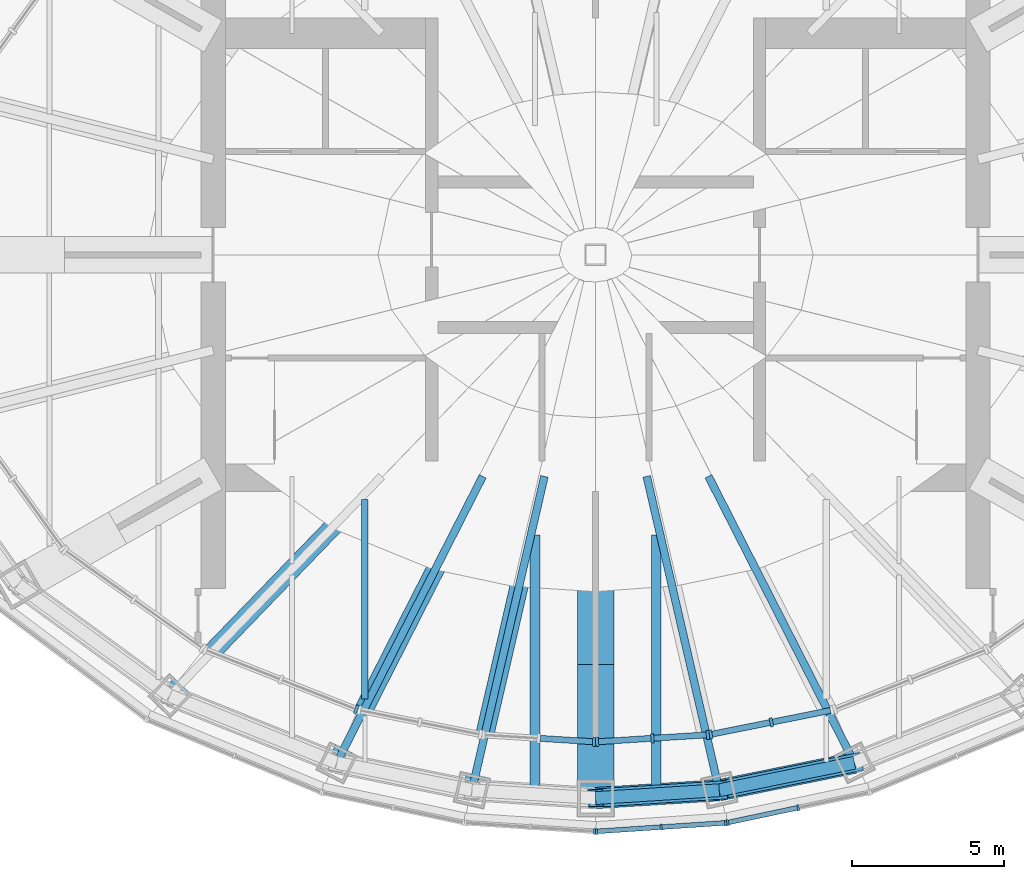
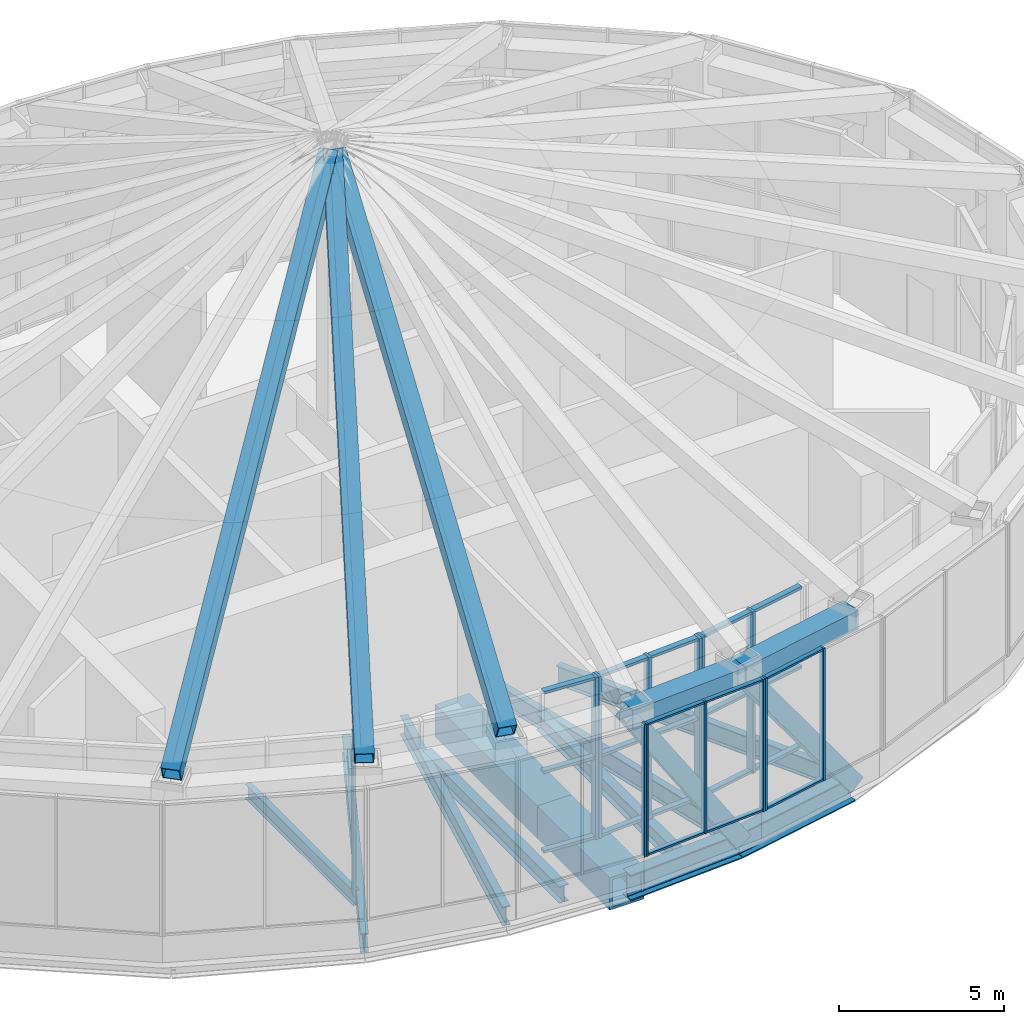
# One storey, part 4 of 21: 39 members, 13 beams, 7 elements without a shape of their own.
"""IFC4 building model written with IfcOpenShell, lengths in metres."""

from ifc_helpers import new_model, si_unit, direction, frame, origin, origin_2d, place, context, subcontext, project, spatial, rectangle, hollow_rectangle, i_section, extrude, material, material_profile, profile_set, type_object, element, aggregate, save


model = new_model("IFC4")

# Units and contexts
model_context = context("Model", 3, precision=1e-05, world=origin(), true_north=direction((0.0, 1.0)))
body_context = subcontext(model_context, "Body", "Model", "MODEL_VIEW")
ifc_project = project(units=[si_unit("LENGTHUNIT", "METRE"), si_unit("AREAUNIT", "SQUARE_METRE"), si_unit("VOLUMEUNIT", "CUBIC_METRE"), si_unit("PLANEANGLEUNIT", "RADIAN"), si_unit("MASSUNIT", "GRAM", prefix="KILO")], contexts=[model_context])

# Site, building, storey
site_placement = place(None, origin())
site = spatial("IfcSite", under=ifc_project, at=site_placement, CompositionType="ELEMENT")
building_placement = place(site_placement, origin())
building = spatial("IfcBuilding", under=site, at=building_placement, Name="Lantaw Convention Tower", CompositionType="ELEMENT")
storey_placement = place(building_placement, frame((0.0, 0.0, 290.39990234375)))
storey = spatial("IfcBuildingStorey", under=building, at=storey_placement, Name="L67", CompositionType="ELEMENT", Elevation=290.39990234375)

# Beams
ifc_material_1 = material(Name="Steel ASTM A992", Category="steel")
ifc_material_profile_1 = material_profile(ifc_material_1, i_section(OverallWidth=0.424072265625, OverallDepth=0.947509765625, WebThickness=0.02392578125, FlangeThickness=0.042724609375, FilletRadius=0.012451171875, at=origin_2d()), Name="W36X302")
ifc_profile_set_1 = profile_set([ifc_material_profile_1], Name="Steel ASTM A992")
beam_type_1 = type_object("IfcBeamType", Name="Beam BC W36X302", PredefinedType="SPANDREL", material=ifc_profile_set_1)
beam_1_placement = place(storey_placement, frame((0.0, -17.89990234375, -0.673583984375), z_axis=(0.998006453216, 0.063111958769, 0.0), x_axis=(-0.063111958769, 0.998006453216, 0.0)))
element("IfcBeam", 1, at=beam_1_placement, inside=storey, type_object=beam_type_1, Name="Belt truss chord 19", PredefinedType="SPANDREL", context=body_context, shape_type="SweptSolid", body=[
    extrude(i_section(OverallWidth=0.424072265625, OverallDepth=0.947509765625, WebThickness=0.02392578125, FlangeThickness=0.042724609375, FilletRadius=0.012451171875, at=origin_2d()), origin(), (0.0, 0.0, 1.0), 4.0810546875),
])
beam_2_placement = place(storey_placement, frame((4.072998046875, -17.642333984375, -0.673583984375), z_axis=(0.980006466425, 0.198965639657, 0.0), x_axis=(-0.198965639657, 0.980006466425, 0.0)))
element("IfcBeam", 2, at=beam_2_placement, inside=storey, type_object=beam_type_1, Name="Belt truss chord 20", PredefinedType="SPANDREL", context=body_context, shape_type="SweptSolid", body=[
    extrude(i_section(OverallWidth=0.424072265625, OverallDepth=0.947509765625, WebThickness=0.02392578125, FlangeThickness=0.042724609375, FilletRadius=0.012451171875, at=origin_2d()), origin(), (0.0, 0.0, 1.0), 4.546142578125),
])
ifc_material_2 = material(Name="Steel EN 10025-3 S460N", Category="steel")
ifc_material_profile_2 = material_profile(ifc_material_2, hollow_rectangle(XDim=1.199951171875, YDim=1.199951171875, WallThickness=0.10009765625, at=origin_2d()), Name="BOX1200X100")
ifc_profile_set_2 = profile_set([ifc_material_profile_2], Name="Steel EN 10025-3 S460N")
beam_type_2 = type_object("IfcBeamType", Name="Beam G BOX1200X100", PredefinedType="BEAM", material=ifc_profile_set_2)
beam_3_placement = place(storey_placement, frame((0.0, -13.5, -0.7998046875), z_axis=(0.0, -1.0, 0.0), x_axis=(1.0, 0.0, 0.0)))
element("IfcBeam", 3, at=beam_3_placement, inside=storey, type_object=beam_type_2, Name="Floor girder on ray 19", PredefinedType="BEAM", context=body_context, shape_type="SweptSolid", body=[
    extrude(hollow_rectangle(XDim=1.199951171875, YDim=1.199951171875, WallThickness=0.10009765625, at=origin_2d()), origin(), (0.0, 0.0, 1.0), 4.39990234375),
])
ifc_material_profile_3 = material_profile(ifc_material_1, i_section(OverallWidth=0.25390625, OverallDepth=0.700927734375, WebThickness=0.015380859375, FlangeThickness=0.02783203125, FilletRadius=0.01513671875, at=origin_2d()), Name="W27X129")
ifc_profile_set_3 = profile_set([ifc_material_profile_3], Name="Steel ASTM A992")
beam_type_3 = type_object("IfcBeamType", Name="Beam G W27X129", PredefinedType="BEAM", material=ifc_profile_set_3)
beam_4_placement = place(storey_placement, frame((-3.719482421875, -7.300048828125, -0.550537109375), z_axis=(-0.453995526284, -0.891003963018, 0.0), x_axis=(0.891003963018, -0.453995526284, 0.0)))
element("IfcBeam", 4, at=beam_4_placement, inside=storey, type_object=beam_type_3, Name="Floor girder on ray 17", PredefinedType="BEAM", context=body_context, shape_type="SweptSolid", body=[
    extrude(i_section(OverallWidth=0.25390625, OverallDepth=0.700927734375, WebThickness=0.015380859375, FlangeThickness=0.02783203125, FilletRadius=0.01513671875, at=origin_2d()), origin(), (0.0, 0.0, 1.0), 10.59228515625),
])
for number, where, z_axis, x_axis, name in (
    (5, (-1.685302734375, -7.300048828125, -0.550537109375), (-0.22495021771, -0.974370257937, 0.0), (0.974370257937, -0.22495021771, 0.0), "Floor girder on ray 18"),
    (6, (1.685302734375, -7.300048828125, -0.550537109375), (0.22495021771, -0.974370257937, 0.0), (0.974370257937, 0.22495021771, 0.0), "Floor girder on ray 20"),
):
    element("IfcBeam", number, at=place(storey_placement, frame(where, z_axis=z_axis, x_axis=x_axis)), inside=storey, type_object=beam_type_3, Name=name, PredefinedType="BEAM", context=body_context, shape_type="SweptSolid", body=[
        extrude(i_section(OverallWidth=0.25390625, OverallDepth=0.700927734375, WebThickness=0.015380859375, FlangeThickness=0.02783203125, FilletRadius=0.01513671875, at=origin_2d()), origin(), (0.0, 0.0, 1.0), 10.6142578125),
    ])
beam_5_placement = place(storey_placement, frame((3.719482421875, -7.300048828125, -0.550537109375), z_axis=(0.453995526284, -0.891003963018, 0.0), x_axis=(0.891003963018, 0.453995526284, 0.0)))
element("IfcBeam", 7, at=beam_5_placement, inside=storey, type_object=beam_type_3, Name="Floor girder on ray 21", PredefinedType="BEAM", context=body_context, shape_type="SweptSolid", body=[
    extrude(i_section(OverallWidth=0.25390625, OverallDepth=0.700927734375, WebThickness=0.015380859375, FlangeThickness=0.02783203125, FilletRadius=0.01513671875, at=origin_2d()), origin(), (0.0, 0.0, 1.0), 10.59228515625),
])
ifc_material_profile_4 = material_profile(ifc_material_1, i_section(OverallWidth=0.209228515625, OverallDepth=0.533447265625, WebThickness=0.01025390625, FlangeThickness=0.015625, FilletRadius=0.012939453125, at=origin_2d()), Name="W21X62")
ifc_profile_set_4 = profile_set([ifc_material_profile_4], Name="Steel ASTM A992")
beam_type_4 = type_object("IfcBeamType", Name="Beam J W21X62", PredefinedType="JOIST", material=ifc_profile_set_4)
beam_6_placement = place(storey_placement, frame((-7.60009765625, -14.635986328125, -0.466552734375), z_axis=(0.0, 1.0, 0.0), x_axis=(-1.0, 0.0, 0.0)))
element("IfcBeam", 8, at=beam_6_placement, inside=storey, type_object=beam_type_4, Name="Floor joist", PredefinedType="JOIST", context=body_context, shape_type="SweptSolid", body=[
    extrude(i_section(OverallWidth=0.209228515625, OverallDepth=0.533447265625, WebThickness=0.01025390625, FlangeThickness=0.015625, FilletRadius=0.012939453125, at=origin_2d()), origin(), (0.0, 0.0, 1.0), 6.573974609375),
])
ifc_material_profile_5 = material_profile(ifc_material_1, i_section(OverallWidth=0.3251953125, OverallDepth=0.612060546875, WebThickness=0.0126953125, FlangeThickness=0.01904296875, FilletRadius=0.0126953125, at=origin_2d()), Name="W24X104")
ifc_profile_set_5 = profile_set([ifc_material_profile_5], Name="Steel ASTM A992")
beam_type_5 = type_object("IfcBeamType", Name="Beam J W24X104", PredefinedType="JOIST", material=ifc_profile_set_5)
for number, where, z_axis, x_axis, name in (
    (9, (-2.0, -17.56103515625, -0.505859375), (0.0, 1.0, 0.0), (-1.0, 0.0, 0.0), "Floor joist"),
    (10, (2.0, -17.56103515625, -0.505859375), (0.0, 1.0, 0.0), (-1.0, 0.0, 0.0), "Floor joist"),
):
    element("IfcBeam", number, at=place(storey_placement, frame(where, z_axis=z_axis, x_axis=x_axis)), inside=storey, type_object=beam_type_5, Name=name, PredefinedType="JOIST", context=body_context, shape_type="SweptSolid", body=[
        extrude(i_section(OverallWidth=0.3251953125, OverallDepth=0.612060546875, WebThickness=0.0126953125, FlangeThickness=0.01904296875, FilletRadius=0.0126953125, at=origin_2d()), origin(), (0.0, 0.0, 1.0), 8.33349609375),
    ])
ifc_material_profile_6 = material_profile(ifc_material_2, hollow_rectangle(XDim=1.199951171875, YDim=1.199951171875, WallThickness=0.10009765625, at=origin_2d()), Name="BOX1200X100")
ifc_profile_set_6 = profile_set([ifc_material_profile_6], Name="Steel EN 10025-3 S460N")
beam_type_6 = type_object("IfcBeamType", Name="Beam OC BOX1200X100", PredefinedType="BEAM", material=ifc_profile_set_6)
beam_7_placement = place(storey_placement, frame((0.0, -7.300048828125, -0.7998046875), z_axis=(0.0, -1.0, 0.0), x_axis=(1.0, 0.0, 0.0)))
element("IfcBeam", 11, at=beam_7_placement, inside=storey, type_object=beam_type_6, Name="Outrigger chord on ray 19", PredefinedType="BEAM", context=body_context, shape_type="SweptSolid", body=[
    extrude(hollow_rectangle(XDim=1.199951171875, YDim=1.199951171875, WallThickness=0.10009765625, at=origin_2d()), origin(), (0.0, 0.0, 1.0), 6.199951171875),
])
ifc_material_3 = material(Name="Steel ASTM A572 Grade 50", Category="steel")
ifc_material_profile_7 = material_profile(ifc_material_3, hollow_rectangle(XDim=0.699951171875, YDim=0.699951171875, WallThickness=0.0400390625, at=origin_2d()), Name="BOX700X40")
ifc_profile_set_7 = profile_set([ifc_material_profile_7], Name="Steel ASTM A572 Grade 50")
beam_type_7 = type_object("IfcBeamType", Name="Beam crown ring BOX700X40", PredefinedType="SPANDREL", material=ifc_profile_set_7)
beam_8_placement = place(storey_placement, frame((0.0, -17.89990234375, 5.650146484375), z_axis=(0.998006453216, 0.063111958769, 0.0), x_axis=(-0.063111958769, 0.998006453216, 0.0)))
element("IfcBeam", 12, at=beam_8_placement, inside=storey, type_object=beam_type_7, Name="Crown ring beam", PredefinedType="SPANDREL", context=body_context, shape_type="SweptSolid", body=[
    extrude(hollow_rectangle(XDim=0.699951171875, YDim=0.699951171875, WallThickness=0.0400390625, at=origin_2d()), origin(), (0.0, 0.0, 1.0), 4.0810546875),
])
beam_9_placement = place(storey_placement, frame((4.072998046875, -17.642333984375, 5.650146484375), z_axis=(0.980006466425, 0.198965639657, 0.0), x_axis=(-0.198965639657, 0.980006466425, 0.0)))
element("IfcBeam", 13, at=beam_9_placement, inside=storey, type_object=beam_type_7, Name="Crown ring beam", PredefinedType="SPANDREL", context=body_context, shape_type="SweptSolid", body=[
    extrude(hollow_rectangle(XDim=0.699951171875, YDim=0.699951171875, WallThickness=0.0400390625, at=origin_2d()), origin(), (0.0, 0.0, 1.0), 4.546142578125),
])

# Curtain wall, member
ifc_material_4 = material(Name="Aluminium framed curtain wall", Category="aluminium")
curtain_wall_type_1 = type_object("IfcCurtainWallType", Name="LANTERN glazing curtain wall, pale aluminium", PredefinedType="USERDEFINED", material=ifc_material_4)
curtain_wall_1_placement = place(storey_placement, origin())
curtain_wall_1 = element("IfcCurtainWall", 14, at=curtain_wall_1_placement, inside=storey, type_object=curtain_wall_type_1, Name="LANTERN glazing curtain wall, pale aluminium L67", ObjectType="LANTERN GLAZING", PredefinedType="USERDEFINED")
ifc_material_5 = material(Name="Aluminium 6063-T6", Category="aluminium")
ifc_material_profile_8 = material_profile(ifc_material_5, rectangle(XDim=0.300048828125, YDim=0.10009765625, at=origin_2d()), Name="CW-LN mullion 100x300")
ifc_profile_set_8 = profile_set([ifc_material_profile_8], Name="Aluminium 6063-T6")
member_type_1 = type_object("IfcMemberType", Name="CW-LN mullion 100x300", PredefinedType="MULLION", material=ifc_profile_set_8)
member_1_placement = place(storey_placement, frame((-7.883056640625, -14.97607421875, 0.0), z_axis=(0.0, 0.0, 1.0), x_axis=(0.366801957358, 0.930299050885, 0.0)))
member_1 = element("IfcMember", 15, at=member_1_placement, type_object=member_type_1, Name="CW-LN mullion 3", PredefinedType="MULLION", context=body_context, shape_type="SweptSolid", body=[
    extrude(rectangle(XDim=0.300048828125, YDim=0.10009765625, at=origin_2d()), origin(), (0.0, 0.0, 1.0), 6.0),
])
aggregate(curtain_wall_1, [member_1])

curtain_wall_2_placement = place(storey_placement, origin())
curtain_wall_2 = element("IfcCurtainWall", 16, at=curtain_wall_2_placement, inside=storey, type_object=curtain_wall_type_1, Name="LANTERN glazing curtain wall, pale aluminium L67", ObjectType="LANTERN GLAZING", PredefinedType="USERDEFINED")
member_2_placement = place(storey_placement, frame((-0.0498046875, -16.044921875, 0.0), z_axis=(0.0, 0.0, 1.0), x_axis=(0.062488626454, 0.998045676091, 0.0)))
member_2 = element("IfcMember", 17, at=member_2_placement, type_object=member_type_1, Name="CW-LN mullion 3", PredefinedType="MULLION", context=body_context, shape_type="SweptSolid", body=[
    extrude(rectangle(XDim=0.300048828125, YDim=0.10009765625, at=origin_2d()), origin(), (0.0, 0.0, 1.0), 6.0),
])

# Curtain wall, members
curtain_wall_3_placement = place(storey_placement, origin())
curtain_wall_3 = element("IfcCurtainWall", 18, at=curtain_wall_3_placement, inside=storey, type_object=curtain_wall_type_1, Name="LANTERN glazing curtain wall, pale aluminium L67", ObjectType="LANTERN GLAZING", PredefinedType="USERDEFINED")
member_3_placement = place(storey_placement, frame((0.0498046875, -16.044921875, 0.0), z_axis=(0.0, 0.0, 1.0), x_axis=(-0.062488626454, 0.998045676091, 0.0)))
member_3 = element("IfcMember", 19, at=member_3_placement, type_object=member_type_1, Name="CW-LN mullion 1", PredefinedType="MULLION", context=body_context, shape_type="SweptSolid", body=[
    extrude(rectangle(XDim=0.300048828125, YDim=0.10009765625, at=origin_2d()), origin(), (0.0, 0.0, 1.0), 6.0),
])
member_4_placement = place(storey_placement, frame((1.87255859375, -15.930908203125, 0.0), z_axis=(0.0, 0.0, 1.0), x_axis=(-0.062488626454, 0.998045676091, 0.0)))
member_4 = element("IfcMember", 20, at=member_4_placement, type_object=member_type_1, Name="CW-LN mullion 2", PredefinedType="MULLION", context=body_context, shape_type="SweptSolid", body=[
    extrude(rectangle(XDim=0.300048828125, YDim=0.10009765625, at=origin_2d()), origin(), (0.0, 0.0, 1.0), 6.0),
])
member_5_placement = place(storey_placement, frame((3.6953125, -15.816650390625, 0.0), z_axis=(0.0, 0.0, 1.0), x_axis=(-0.062488626454, 0.998045676091, 0.0)))
member_5 = element("IfcMember", 21, at=member_5_placement, type_object=member_type_1, Name="CW-LN mullion 3", PredefinedType="MULLION", context=body_context, shape_type="SweptSolid", body=[
    extrude(rectangle(XDim=0.300048828125, YDim=0.10009765625, at=origin_2d()), origin(), (0.0, 0.0, 1.0), 6.0),
])

curtain_wall_4_placement = place(storey_placement, origin())
curtain_wall_4 = element("IfcCurtainWall", 22, at=curtain_wall_4_placement, inside=storey, type_object=curtain_wall_type_1, Name="LANTERN glazing curtain wall, pale aluminium L67", ObjectType="LANTERN GLAZING", PredefinedType="USERDEFINED")
member_6_placement = place(storey_placement, frame((3.79443359375, -15.8037109375, 0.0), z_axis=(0.0, 0.0, 1.0), x_axis=(-0.196367228305, 0.980530423622, 0.0)))
member_6 = element("IfcMember", 23, at=member_6_placement, type_object=member_type_1, Name="CW-LN mullion 1", PredefinedType="MULLION", context=body_context, shape_type="SweptSolid", body=[
    extrude(rectangle(XDim=0.300048828125, YDim=0.10009765625, at=origin_2d()), origin(), (0.0, 0.0, 1.0), 6.0),
])
member_7_placement = place(storey_placement, frame((5.791015625, -15.404052734375, 0.0), z_axis=(0.0, 0.0, 1.0), x_axis=(-0.196367228305, 0.980530423622, 0.0)))
member_7 = element("IfcMember", 24, at=member_7_placement, type_object=member_type_1, Name="CW-LN mullion 2", PredefinedType="MULLION", context=body_context, shape_type="SweptSolid", body=[
    extrude(rectangle(XDim=0.300048828125, YDim=0.10009765625, at=origin_2d()), origin(), (0.0, 0.0, 1.0), 6.0),
])

# Member
ifc_material_profile_9 = material_profile(ifc_material_5, rectangle(XDim=0.199951171875, YDim=0.10009765625, at=origin_2d()), Name="CW-LN transom 100x200")
ifc_profile_set_9 = profile_set([ifc_material_profile_9], Name="Aluminium 6063-T6")
member_type_2 = type_object("IfcMemberType", Name="CW-LN transom 100x200", PredefinedType="USERDEFINED", material=ifc_profile_set_9)
member_8_placement = place(storey_placement, frame((-1.82275390625, -15.93408203125, 0.050048828125), z_axis=(0.9980443153, -0.062510356719, 0.0), x_axis=(0.062510356719, 0.9980443153, 0.0)))
member_8 = element("IfcMember", 25, at=member_8_placement, type_object=member_type_2, Name="CW-LN transom 2.1", ObjectType="TRANSOM", PredefinedType="USERDEFINED", context=body_context, shape_type="SweptSolid", body=[
    extrude(rectangle(XDim=0.199951171875, YDim=0.10009765625, at=origin_2d()), origin(), (0.0, 0.0, 1.0), 1.726318359375),
])

member_9_placement = place(storey_placement, frame((-1.82275390625, -15.93408203125, 3.0), z_axis=(0.9980443153, -0.062510356719, 0.0), x_axis=(0.062510356719, 0.9980443153, 0.0)))
member_9 = element("IfcMember", 26, at=member_9_placement, type_object=member_type_2, Name="CW-LN transom 2.2", ObjectType="TRANSOM", PredefinedType="USERDEFINED", context=body_context, shape_type="SweptSolid", body=[
    extrude(rectangle(XDim=0.199951171875, YDim=0.10009765625, at=origin_2d()), origin(), (0.0, 0.0, 1.0), 1.726318359375),
])

member_10_placement = place(storey_placement, frame((-1.82275390625, -15.93408203125, 5.9501953125), z_axis=(0.9980443153, -0.062510356719, 0.0), x_axis=(0.062510356719, 0.9980443153, 0.0)))
member_10 = element("IfcMember", 27, at=member_10_placement, type_object=member_type_2, Name="CW-LN transom 2.3", ObjectType="TRANSOM", PredefinedType="USERDEFINED", context=body_context, shape_type="SweptSolid", body=[
    extrude(rectangle(XDim=0.199951171875, YDim=0.10009765625, at=origin_2d()), origin(), (0.0, 0.0, 1.0), 1.726318359375),
])

aggregate(curtain_wall_2, [member_2, member_8, member_9, member_10])

member_11_placement = place(storey_placement, frame((0.099853515625, -16.0419921875, 0.050048828125), z_axis=(0.9980443153, 0.062510356719, 0.0), x_axis=(-0.062510356719, 0.9980443153, 0.0)))
member_11 = element("IfcMember", 28, at=member_11_placement, type_object=member_type_2, Name="CW-LN transom 1.1", ObjectType="TRANSOM", PredefinedType="USERDEFINED", context=body_context, shape_type="SweptSolid", body=[
    extrude(rectangle(XDim=0.199951171875, YDim=0.10009765625, at=origin_2d()), origin(), (0.0, 0.0, 1.0), 1.726318359375),
])

member_12_placement = place(storey_placement, frame((0.099853515625, -16.0419921875, 3.0), z_axis=(0.9980443153, 0.062510356719, 0.0), x_axis=(-0.062510356719, 0.9980443153, 0.0)))
member_12 = element("IfcMember", 29, at=member_12_placement, type_object=member_type_2, Name="CW-LN transom 1.2", ObjectType="TRANSOM", PredefinedType="USERDEFINED", context=body_context, shape_type="SweptSolid", body=[
    extrude(rectangle(XDim=0.199951171875, YDim=0.10009765625, at=origin_2d()), origin(), (0.0, 0.0, 1.0), 1.726318359375),
])

member_13_placement = place(storey_placement, frame((0.099853515625, -16.0419921875, 5.9501953125), z_axis=(0.9980443153, 0.062510356719, 0.0), x_axis=(-0.062510356719, 0.9980443153, 0.0)))
member_13 = element("IfcMember", 30, at=member_13_placement, type_object=member_type_2, Name="CW-LN transom 1.3", ObjectType="TRANSOM", PredefinedType="USERDEFINED", context=body_context, shape_type="SweptSolid", body=[
    extrude(rectangle(XDim=0.199951171875, YDim=0.10009765625, at=origin_2d()), origin(), (0.0, 0.0, 1.0), 1.726318359375),
])

member_14_placement = place(storey_placement, frame((1.922607421875, -15.927734375, 0.050048828125), z_axis=(0.9980443153, 0.062510356719, 0.0), x_axis=(-0.062510356719, 0.9980443153, 0.0)))
member_14 = element("IfcMember", 31, at=member_14_placement, type_object=member_type_2, Name="CW-LN transom 2.1", ObjectType="TRANSOM", PredefinedType="USERDEFINED", context=body_context, shape_type="SweptSolid", body=[
    extrude(rectangle(XDim=0.199951171875, YDim=0.10009765625, at=origin_2d()), origin(), (0.0, 0.0, 1.0), 1.726318359375),
])

member_15_placement = place(storey_placement, frame((1.922607421875, -15.927734375, 3.0), z_axis=(0.9980443153, 0.062510356719, 0.0), x_axis=(-0.062510356719, 0.9980443153, 0.0)))
member_15 = element("IfcMember", 32, at=member_15_placement, type_object=member_type_2, Name="CW-LN transom 2.2", ObjectType="TRANSOM", PredefinedType="USERDEFINED", context=body_context, shape_type="SweptSolid", body=[
    extrude(rectangle(XDim=0.199951171875, YDim=0.10009765625, at=origin_2d()), origin(), (0.0, 0.0, 1.0), 1.726318359375),
])

member_16_placement = place(storey_placement, frame((1.922607421875, -15.927734375, 5.9501953125), z_axis=(0.9980443153, 0.062510356719, 0.0), x_axis=(-0.062510356719, 0.9980443153, 0.0)))
member_16 = element("IfcMember", 33, at=member_16_placement, type_object=member_type_2, Name="CW-LN transom 2.3", ObjectType="TRANSOM", PredefinedType="USERDEFINED", context=body_context, shape_type="SweptSolid", body=[
    extrude(rectangle(XDim=0.199951171875, YDim=0.10009765625, at=origin_2d()), origin(), (0.0, 0.0, 1.0), 1.726318359375),
])

aggregate(curtain_wall_3, [member_3, member_4, member_5, member_11, member_12, member_13, member_14, member_15, member_16])

member_17_placement = place(storey_placement, frame((3.84326171875, -15.7939453125, 0.050048828125), z_axis=(0.980541861959, 0.196310104034, 0.0), x_axis=(-0.196310104034, 0.980541861959, 0.0)))
member_17 = element("IfcMember", 34, at=member_17_placement, type_object=member_type_2, Name="CW-LN transom 1.1", ObjectType="TRANSOM", PredefinedType="USERDEFINED", context=body_context, shape_type="SweptSolid", body=[
    extrude(rectangle(XDim=0.199951171875, YDim=0.10009765625, at=origin_2d()), origin(), (0.0, 0.0, 1.0), 1.936279296875),
])

member_18_placement = place(storey_placement, frame((3.84326171875, -15.7939453125, 3.0), z_axis=(0.980541861959, 0.196310104034, 0.0), x_axis=(-0.196310104034, 0.980541861959, 0.0)))
member_18 = element("IfcMember", 35, at=member_18_placement, type_object=member_type_2, Name="CW-LN transom 1.2", ObjectType="TRANSOM", PredefinedType="USERDEFINED", context=body_context, shape_type="SweptSolid", body=[
    extrude(rectangle(XDim=0.199951171875, YDim=0.10009765625, at=origin_2d()), origin(), (0.0, 0.0, 1.0), 1.936279296875),
])

member_19_placement = place(storey_placement, frame((3.84326171875, -15.7939453125, 5.9501953125), z_axis=(0.980541861959, 0.196310104034, 0.0), x_axis=(-0.196310104034, 0.980541861959, 0.0)))
member_19 = element("IfcMember", 36, at=member_19_placement, type_object=member_type_2, Name="CW-LN transom 1.3", ObjectType="TRANSOM", PredefinedType="USERDEFINED", context=body_context, shape_type="SweptSolid", body=[
    extrude(rectangle(XDim=0.199951171875, YDim=0.10009765625, at=origin_2d()), origin(), (0.0, 0.0, 1.0), 1.936279296875),
])

member_20_placement = place(storey_placement, frame((5.83984375, -15.39404296875, 0.050048828125), z_axis=(0.980541861959, 0.196310104034, 0.0), x_axis=(-0.196310104034, 0.980541861959, 0.0)))
member_20 = element("IfcMember", 37, at=member_20_placement, type_object=member_type_2, Name="CW-LN transom 2.1", ObjectType="TRANSOM", PredefinedType="USERDEFINED", context=body_context, shape_type="SweptSolid", body=[
    extrude(rectangle(XDim=0.199951171875, YDim=0.10009765625, at=origin_2d()), origin(), (0.0, 0.0, 1.0), 1.936279296875),
])

member_21_placement = place(storey_placement, frame((5.83984375, -15.39404296875, 3.0), z_axis=(0.980541861959, 0.196310104034, 0.0), x_axis=(-0.196310104034, 0.980541861959, 0.0)))
member_21 = element("IfcMember", 38, at=member_21_placement, type_object=member_type_2, Name="CW-LN transom 2.2", ObjectType="TRANSOM", PredefinedType="USERDEFINED", context=body_context, shape_type="SweptSolid", body=[
    extrude(rectangle(XDim=0.199951171875, YDim=0.10009765625, at=origin_2d()), origin(), (0.0, 0.0, 1.0), 1.936279296875),
])

member_22_placement = place(storey_placement, frame((5.83984375, -15.39404296875, 5.9501953125), z_axis=(0.980541861959, 0.196310104034, 0.0), x_axis=(-0.196310104034, 0.980541861959, 0.0)))
member_22 = element("IfcMember", 39, at=member_22_placement, type_object=member_type_2, Name="CW-LN transom 2.3", ObjectType="TRANSOM", PredefinedType="USERDEFINED", context=body_context, shape_type="SweptSolid", body=[
    extrude(rectangle(XDim=0.199951171875, YDim=0.10009765625, at=origin_2d()), origin(), (0.0, 0.0, 1.0), 1.936279296875),
])

aggregate(curtain_wall_4, [member_6, member_7, member_17, member_18, member_19, member_20, member_21, member_22])

# Curtain wall, member
curtain_wall_type_2 = type_object("IfcCurtainWallType", Name="Plant floor louvre wall, pale aluminium", PredefinedType="USERDEFINED", material=ifc_material_4)
curtain_wall_5_placement = place(storey_placement, origin())
curtain_wall_5 = element("IfcCurtainWall", 40, at=curtain_wall_5_placement, inside=storey, type_object=curtain_wall_type_2, Name="Plant floor louvre wall, pale aluminium L67", ObjectType="LOUVRE WALL", PredefinedType="USERDEFINED")
ifc_material_profile_10 = material_profile(ifc_material_5, rectangle(XDim=0.199951171875, YDim=0.070068359375, at=origin_2d()), Name="CW-LV mullion 70x200")
ifc_profile_set_10 = profile_set([ifc_material_profile_10], Name="Aluminium 6063-T6")
member_type_3 = type_object("IfcMemberType", Name="CW-LV mullion 70x200", PredefinedType="MULLION", material=ifc_profile_set_10)
member_23_placement = place(storey_placement, frame((-0.034912109375, -18.997802734375, 1.10009765625), z_axis=(0.0, 0.0, 1.0), x_axis=(0.066024902273, 0.997817975525, 0.0)))
member_23 = element("IfcMember", 41, at=member_23_placement, type_object=member_type_3, Name="CW-LV mullion 3", PredefinedType="MULLION", context=body_context, shape_type="SweptSolid", body=[
    extrude(rectangle(XDim=0.199951171875, YDim=0.070068359375, at=origin_2d()), origin(), (0.0, 0.0, 1.0), 4.89990234375),
])
aggregate(curtain_wall_5, [member_23])

# Curtain wall, members
curtain_wall_6_placement = place(storey_placement, origin())
curtain_wall_6 = element("IfcCurtainWall", 42, at=curtain_wall_6_placement, inside=storey, type_object=curtain_wall_type_2, Name="Plant floor louvre wall, pale aluminium L67", ObjectType="LOUVRE WALL", PredefinedType="USERDEFINED")
member_24_placement = place(storey_placement, frame((0.034912109375, -18.997802734375, 1.10009765625), z_axis=(0.0, 0.0, 1.0), x_axis=(-0.066024902273, 0.997817975525, 0.0)))
member_24 = element("IfcMember", 43, at=member_24_placement, type_object=member_type_3, Name="CW-LV mullion 1", PredefinedType="MULLION", context=body_context, shape_type="SweptSolid", body=[
    extrude(rectangle(XDim=0.199951171875, YDim=0.070068359375, at=origin_2d()), origin(), (0.0, 0.0, 1.0), 4.89990234375),
])
member_25_placement = place(storey_placement, frame((2.16015625, -18.857177734375, 1.10009765625), z_axis=(0.0, 0.0, 1.0), x_axis=(-0.066024902273, 0.997817975525, 0.0)))
member_25 = element("IfcMember", 44, at=member_25_placement, type_object=member_type_3, Name="CW-LV mullion 2", PredefinedType="MULLION", context=body_context, shape_type="SweptSolid", body=[
    extrude(rectangle(XDim=0.199951171875, YDim=0.070068359375, at=origin_2d()), origin(), (0.0, 0.0, 1.0), 4.89990234375),
])
member_26_placement = place(storey_placement, frame((4.28564453125, -18.71630859375, 1.10009765625), z_axis=(0.0, 0.0, 1.0), x_axis=(-0.066024902273, 0.997817975525, 0.0)))
member_26 = element("IfcMember", 45, at=member_26_placement, type_object=member_type_3, Name="CW-LV mullion 3", PredefinedType="MULLION", context=body_context, shape_type="SweptSolid", body=[
    extrude(rectangle(XDim=0.199951171875, YDim=0.070068359375, at=origin_2d()), origin(), (0.0, 0.0, 1.0), 4.89990234375),
])

curtain_wall_7_placement = place(storey_placement, origin())
curtain_wall_7 = element("IfcCurtainWall", 46, at=curtain_wall_7_placement, inside=storey, type_object=curtain_wall_type_2, Name="Plant floor louvre wall, pale aluminium L67", ObjectType="LOUVRE WALL", PredefinedType="USERDEFINED")
member_27_placement = place(storey_placement, frame((4.354736328125, -18.706787109375, 1.10009765625), z_axis=(0.0, 0.0, 1.0), x_axis=(-0.207039911975, 0.978332497083, 0.0)))
member_27 = element("IfcMember", 47, at=member_27_placement, type_object=member_type_3, Name="CW-LV mullion 1", PredefinedType="MULLION", context=body_context, shape_type="SweptSolid", body=[
    extrude(rectangle(XDim=0.199951171875, YDim=0.070068359375, at=origin_2d()), origin(), (0.0, 0.0, 1.0), 4.89990234375),
])
member_28_placement = place(storey_placement, frame((6.674072265625, -18.216064453125, 1.10009765625), z_axis=(0.0, 0.0, 1.0), x_axis=(-0.207039911975, 0.978332497083, 0.0)))
member_28 = element("IfcMember", 48, at=member_28_placement, type_object=member_type_3, Name="CW-LV mullion 2", PredefinedType="MULLION", context=body_context, shape_type="SweptSolid", body=[
    extrude(rectangle(XDim=0.199951171875, YDim=0.070068359375, at=origin_2d()), origin(), (0.0, 0.0, 1.0), 4.89990234375),
])

# Member
ifc_material_profile_11 = material_profile(ifc_material_5, rectangle(XDim=0.159912109375, YDim=0.070068359375, at=origin_2d()), Name="CW-LV transom 70x160")
ifc_profile_set_11 = profile_set([ifc_material_profile_11], Name="Aluminium 6063-T6")
member_type_4 = type_object("IfcMemberType", Name="CW-LV transom 70x160", PredefinedType="USERDEFINED", material=ifc_profile_set_11)
member_29_placement = place(storey_placement, frame((0.06982421875, -18.995361328125, 1.135009765625), z_axis=(0.997818593988, 0.066015554918, 0.0), x_axis=(-0.066015554918, 0.997818593988, 0.0)))
member_29 = element("IfcMember", 49, at=member_29_placement, type_object=member_type_4, Name="CW-LV transom 1.1", ObjectType="TRANSOM", PredefinedType="USERDEFINED", context=body_context, shape_type="SweptSolid", body=[
    extrude(rectangle(XDim=0.159912109375, YDim=0.070068359375, at=origin_2d()), origin(), (0.0, 0.0, 1.0), 2.059814453125),
])

member_30_placement = place(storey_placement, frame((0.06982421875, -18.995361328125, 5.965087890625), z_axis=(0.997818593988, 0.066015554918, 0.0), x_axis=(-0.066015554918, 0.997818593988, 0.0)))
member_30 = element("IfcMember", 50, at=member_30_placement, type_object=member_type_4, Name="CW-LV transom 1.2", ObjectType="TRANSOM", PredefinedType="USERDEFINED", context=body_context, shape_type="SweptSolid", body=[
    extrude(rectangle(XDim=0.159912109375, YDim=0.070068359375, at=origin_2d()), origin(), (0.0, 0.0, 1.0), 2.059814453125),
])

member_31_placement = place(storey_placement, frame((2.195068359375, -18.854736328125, 1.135009765625), z_axis=(0.997819110413, 0.066007748753, 0.0), x_axis=(-0.066007748753, 0.997819110413, 0.0)))
member_31 = element("IfcMember", 51, at=member_31_placement, type_object=member_type_4, Name="CW-LV transom 2.1", ObjectType="TRANSOM", PredefinedType="USERDEFINED", context=body_context, shape_type="SweptSolid", body=[
    extrude(rectangle(XDim=0.159912109375, YDim=0.070068359375, at=origin_2d()), origin(), (0.0, 0.0, 1.0), 2.06005859375),
])

member_32_placement = place(storey_placement, frame((2.195068359375, -18.854736328125, 5.965087890625), z_axis=(0.997819110413, 0.066007748753, 0.0), x_axis=(-0.066007748753, 0.997819110413, 0.0)))
member_32 = element("IfcMember", 52, at=member_32_placement, type_object=member_type_4, Name="CW-LV transom 2.2", ObjectType="TRANSOM", PredefinedType="USERDEFINED", context=body_context, shape_type="SweptSolid", body=[
    extrude(rectangle(XDim=0.159912109375, YDim=0.070068359375, at=origin_2d()), origin(), (0.0, 0.0, 1.0), 2.06005859375),
])

aggregate(curtain_wall_6, [member_24, member_25, member_26, member_29, member_30, member_31, member_32])

member_33_placement = place(storey_placement, frame((4.388916015625, -18.69970703125, 1.135009765625), z_axis=(0.978336479598, 0.207021092375, 0.0), x_axis=(-0.207021092375, 0.978336479598, 0.0)))
member_33 = element("IfcMember", 53, at=member_33_placement, type_object=member_type_4, Name="CW-LV transom 1.1", ObjectType="TRANSOM", PredefinedType="USERDEFINED", context=body_context, shape_type="SweptSolid", body=[
    extrude(rectangle(XDim=0.159912109375, YDim=0.070068359375, at=origin_2d()), origin(), (0.0, 0.0, 1.0), 2.30078125),
])

member_34_placement = place(storey_placement, frame((4.388916015625, -18.69970703125, 5.965087890625), z_axis=(0.978336479598, 0.207021092375, 0.0), x_axis=(-0.207021092375, 0.978336479598, 0.0)))
member_34 = element("IfcMember", 54, at=member_34_placement, type_object=member_type_4, Name="CW-LV transom 1.2", ObjectType="TRANSOM", PredefinedType="USERDEFINED", context=body_context, shape_type="SweptSolid", body=[
    extrude(rectangle(XDim=0.159912109375, YDim=0.070068359375, at=origin_2d()), origin(), (0.0, 0.0, 1.0), 2.30078125),
])

aggregate(curtain_wall_7, [member_27, member_28, member_33, member_34])

# Members
ifc_material_profile_12 = material_profile(ifc_material_3, hollow_rectangle(XDim=0.60009765625, YDim=0.60009765625, WallThickness=0.031982421875, at=origin_2d()), Name="BOX600X32")
ifc_profile_set_12 = profile_set([ifc_material_profile_12], Name="Steel ASTM A572 Grade 50")
member_type_5 = type_object("IfcMemberType", Name="Member CR BOX600X32", PredefinedType="BRACE", material=ifc_profile_set_12)
member_35_placement = place(storey_placement, frame((4.072998046875, -17.642333984375, -0.505859375), z_axis=(-0.548729002109, -0.034700539305, 0.835279806303), x_axis=(0.063111958769, -0.998006453216, 0.0)))
element("IfcMember", 55, at=member_35_placement, inside=storey, type_object=member_type_5, Name="Crown ring truss diagonal 19 (upper)", PredefinedType="BRACE", context=body_context, shape_type="SweptSolid", body=[
    extrude(hollow_rectangle(XDim=0.60009765625, YDim=0.60009765625, WallThickness=0.031982421875, at=origin_2d()), origin(), (0.0, 0.0, 1.0), 7.422607421875),
])
member_36_placement = place(storey_placement, frame((8.5283203125, -16.73779296875, -0.505859375), z_axis=(-0.57950592565, -0.117654088144, 0.806430652741), x_axis=(0.198965639657, -0.980006466425, 0.0)))
element("IfcMember", 56, at=member_36_placement, inside=storey, type_object=member_type_5, Name="Crown ring truss diagonal 20 (upper)", PredefinedType="BRACE", context=body_context, shape_type="SweptSolid", body=[
    extrude(hollow_rectangle(XDim=0.60009765625, YDim=0.60009765625, WallThickness=0.031982421875, at=origin_2d()), origin(), (0.0, 0.0, 1.0), 7.688232421875),
])
ifc_material_profile_13 = material_profile(ifc_material_3, hollow_rectangle(XDim=0.60009765625, YDim=0.60009765625, WallThickness=0.031982421875, at=origin_2d()), Name="BOX600X32")
ifc_profile_set_13 = profile_set([ifc_material_profile_13], Name="Steel ASTM A572 Grade 50")
member_type_6 = type_object("IfcMemberType", Name="Member crown rib BOX600X32", PredefinedType="RAFTER", material=ifc_profile_set_13)
member_37_placement = place(storey_placement, frame((-14.027587890625, -14.526123046875, 6.300048828125), z_axis=(0.626714651536, 0.648984093946, 0.431333271792), x_axis=(-0.719340909743, 0.694657221635, 0.0)))
element("IfcMember", 57, at=member_37_placement, inside=storey, type_object=member_type_6, Name="Crown rib", PredefinedType="RAFTER", context=body_context, shape_type="SweptSolid", body=[
    extrude(hollow_rectangle(XDim=0.60009765625, YDim=0.60009765625, WallThickness=0.031982421875, at=origin_2d()), origin(), (0.0, 0.0, 1.0), 22.024658203125),
])
member_38_placement = place(storey_placement, frame((-8.5283203125, -16.73779296875, 6.300048828125), z_axis=(0.403784173492, 0.792473282167, 0.457104406334), x_axis=(-0.891007038942, 0.453989489476, 0.0)))
element("IfcMember", 58, at=member_38_placement, inside=storey, type_object=member_type_6, Name="Crown rib", PredefinedType="RAFTER", context=body_context, shape_type="SweptSolid", body=[
    extrude(hollow_rectangle(XDim=0.60009765625, YDim=0.60009765625, WallThickness=0.031982421875, at=origin_2d()), origin(), (0.0, 0.0, 1.0), 20.782958984375),
])
member_39_placement = place(storey_placement, frame((-4.072998046875, -17.642333984375, 6.300048828125), z_axis=(0.198492707042, 0.859784412746, 0.470501231507), x_axis=(-0.974371099371, 0.224946573014, 0.0)))
element("IfcMember", 59, at=member_39_placement, inside=storey, type_object=member_type_6, Name="Crown rib", PredefinedType="RAFTER", context=body_context, shape_type="SweptSolid", body=[
    extrude(hollow_rectangle(XDim=0.60009765625, YDim=0.60009765625, WallThickness=0.031982421875, at=origin_2d()), origin(), (0.0, 0.0, 1.0), 20.191162109375),
])

save(model, "model.ifc")
